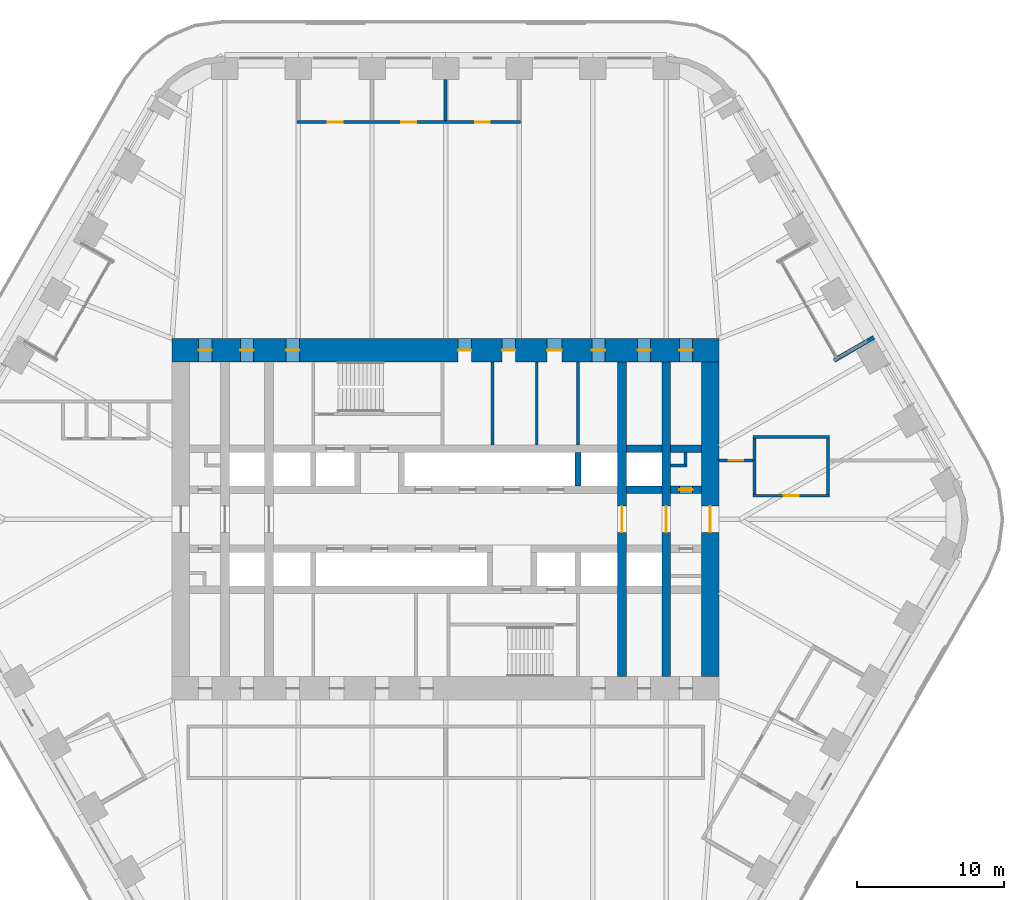
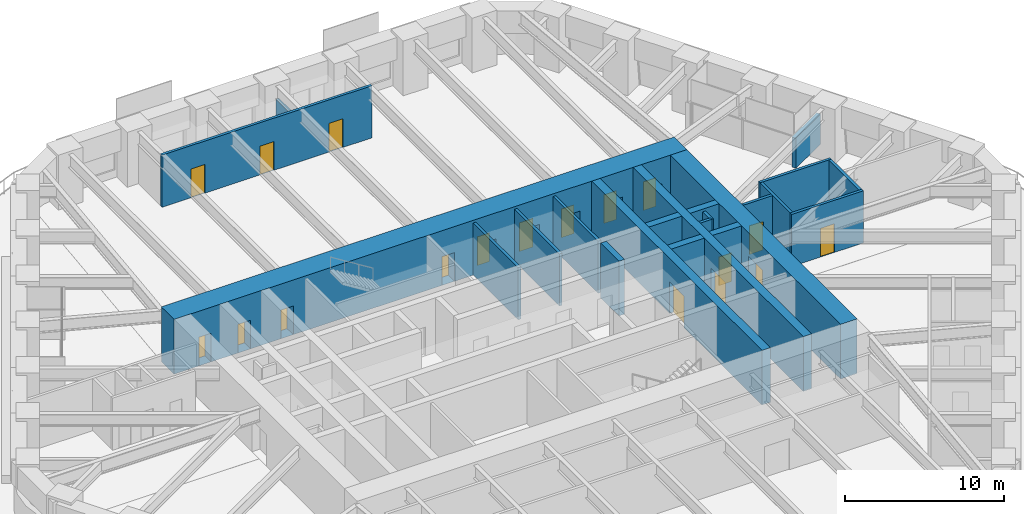
# One storey, part 20 of 24: 22 walls, 18 doors, 18 openings.
"""IFC4 building model written with IfcOpenShell, lengths in metres."""

from ifc_helpers import new_model, si_unit, direction, frame, frame_2d, origin, place, context, subcontext, project, spatial, rectangle, extrude, material, layer, layer_set, type_object, element, fill, save


model = new_model("IFC4")

# Units and contexts
model_context = context("Model", 3, precision=1e-05, world=origin(), true_north=direction((0.0, 1.0)))
body_context = subcontext(model_context, "Body", "Model", "MODEL_VIEW")
ifc_project = project(units=[si_unit("LENGTHUNIT", "METRE"), si_unit("AREAUNIT", "SQUARE_METRE"), si_unit("VOLUMEUNIT", "CUBIC_METRE"), si_unit("PLANEANGLEUNIT", "RADIAN"), si_unit("MASSUNIT", "GRAM", prefix="KILO")], contexts=[model_context])

# Site, building, storey
site_placement = place(None, origin())
site = spatial("IfcSite", under=ifc_project, at=site_placement, CompositionType="ELEMENT")
building_placement = place(site_placement, origin())
building = spatial("IfcBuilding", under=site, at=building_placement, Name="Tarfa Lantern Tower", CompositionType="ELEMENT")
storey_placement = place(building_placement, frame((0.0, 0.0, 123.699951171875)))
storey = spatial("IfcBuildingStorey", under=building, at=storey_placement, Name="L27", CompositionType="ELEMENT", Elevation=123.699951171875)

# Walls
ifc_material_1 = material(Name="Limestone cladding on blockwork", Category="masonry")
ifc_layer_1 = layer(ifc_material_1, 0.300048828125)
ifc_layer_set_1 = layer_set([ifc_layer_1], Name="EW1 STONE-CLAD WALL 300")
wall_type_1 = type_object("IfcWallType", Name="EW1 STONE-CLAD WALL 300", PredefinedType="SOLIDWALL", material=ifc_layer_set_1)
wall_1_placement = place(storey_placement, frame((29.1201171875, 12.362548828125, 0.0), z_axis=(0.0, 0.0, 1.0), x_axis=(-0.86602952684, -0.49999285859, 0.0)))
element("IfcWall", 1, at=wall_1_placement, inside=storey, type_object=wall_type_1, Name="Loggia return NE 1", PredefinedType="SOLIDWALL", context=body_context, shape_type="SweptSolid", body=[
    extrude(rectangle(XDim=3.10009765625, YDim=0.300048828125, at=frame_2d((1.550048828125, 0.0))), origin(), (0.0, 0.0, 1.0), 2.300048828125),
])
ifc_material_2 = material(Name="Concrete blockwork", Category="masonry")
ifc_layer_2 = layer(ifc_material_2, 0.199951171875)
ifc_layer_set_2 = layer_set([ifc_layer_2], Name="IW1 BLOCKWORK PARTITION 200 EI 120")
wall_type_2 = type_object("IfcWallType", Name="IW1 BLOCKWORK PARTITION 200 EI 120", PredefinedType="PARTITIONING", material=ifc_layer_set_2)
for number, where, z_axis, x_axis, name in (
    (2, (9.0, 5.050048828125, 0.0), (0.0, 0.0, 1.0), (0.0, 1.0, 0.0), "Core partition"),
    (3, (3.199951171875, 5.050048828125, 0.0), (0.0, 0.0, 1.0), (0.0, 1.0, 0.0), "Core partition"),
    (4, (6.199951171875, 5.050048828125, 0.0), (0.0, 0.0, 1.0), (0.0, 1.0, 0.0), "Core partition"),
):
    element("IfcWall", number, at=place(storey_placement, frame(where, z_axis=z_axis, x_axis=x_axis)), inside=storey, type_object=wall_type_2, Name=name, PredefinedType="PARTITIONING", context=body_context, shape_type="SweptSolid", body=[
        extrude(rectangle(XDim=5.64990234375, YDim=0.199951171875, at=frame_2d((2.824951171875, 0.0))), origin(), (0.0, 0.0, 1.0), 4.0),
    ])
for number, where, z_axis, x_axis, name in (
    (5, (15.300048828125, 3.64990234375, 0.0), (0.0, 0.0, 1.0), (1.0, 0.0, 0.0), "Core partition"),
    (6, (16.300048828125, 3.550048828125, 0.0), (0.0, 0.0, 1.0), (0.0, 1.0, 0.0), "Core partition"),
):
    element("IfcWall", number, at=place(storey_placement, frame(where, z_axis=z_axis, x_axis=x_axis)), inside=storey, type_object=wall_type_2, Name=name, PredefinedType="PARTITIONING", context=body_context, shape_type="SweptSolid", body=[
        extrude(rectangle(XDim=1.0, YDim=0.199951171875, at=frame_2d((0.5, 0.0))), origin(), (0.0, 0.0, 1.0), 4.0),
    ])

# Wall, openings, doors
ifc_material_3 = material(Name="Gypsum board on steel studs", Category="steel")
ifc_layer_3 = layer(ifc_material_3, 0.2099609375)
ifc_layer_set_3 = layer_set([ifc_layer_3], Name="IW2 ACOUSTIC PARTITION 200")
wall_type_3 = type_object("IfcWallType", Name="IW2 ACOUSTIC PARTITION 200", PredefinedType="PARTITIONING", material=ifc_layer_set_3)
wall_2_placement = place(storey_placement, frame((5.103759765625, 27.0, 0.0), z_axis=(0.0, 0.0, 1.0), x_axis=(-1.0, 0.0, 0.0)))
wall_2 = element("IfcWall", 7, at=wall_2_placement, inside=storey, type_object=wall_type_3, Name="Partition", PredefinedType="PARTITIONING", context=body_context, shape_type="SweptSolid", body=[
    extrude(rectangle(XDim=15.211181640625, YDim=0.199951171875, at=frame_2d((7.60546875, 0.0))), origin(), (0.0, 0.0, 1.0), 4.0),
])
opening_1_placement = place(wall_2_placement, frame((2.101806640625, 0.0, 0.0)))
opening_1 = element("IfcOpeningElement", 8, at=opening_1_placement, cuts=wall_2, Name="Opening D34", PredefinedType="OPENING", context=body_context, shape_type="SweptSolid", body=[
    extrude(rectangle(XDim=1.0, YDim=2.199951171875, at=frame_2d((0.5, 1.10009765625))), frame((0.0, 0.10986328125, 0.0), z_axis=(0.0, -1.0, 0.0), x_axis=(1.0, 0.0, 0.0)), (0.0, 0.0, 1.0), 0.219970703125),
])
opening_2_placement = place(wall_2_placement, frame((7.10546875, 0.0, 0.0)))
opening_2 = element("IfcOpeningElement", 9, at=opening_2_placement, cuts=wall_2, Name="Opening D35", PredefinedType="OPENING", context=body_context, shape_type="SweptSolid", body=[
    extrude(rectangle(XDim=1.0, YDim=2.199951171875, at=frame_2d((0.5, 1.10009765625))), frame((0.0, 0.10986328125, 0.0), z_axis=(0.0, -1.0, 0.0), x_axis=(1.0, 0.0, 0.0)), (0.0, 0.0, 1.0), 0.219970703125),
])
opening_3_placement = place(wall_2_placement, frame((12.109375, 0.0, 0.0)))
opening_3 = element("IfcOpeningElement", 10, at=opening_3_placement, cuts=wall_2, Name="Opening D36", PredefinedType="OPENING", context=body_context, shape_type="SweptSolid", body=[
    extrude(rectangle(XDim=1.0, YDim=2.199951171875, at=frame_2d((0.5, 1.10009765625))), frame((0.0, 0.10986328125, 0.0), z_axis=(0.0, -1.0, 0.0), x_axis=(1.0, 0.0, 0.0)), (0.0, 0.0, 1.0), 0.219970703125),
])
ifc_material_4 = material(Name="Timber door", Category="wood")
door_type_1 = type_object("IfcDoorType", Name="DR1 ROOM DOOR 1000x2200", OperationType="SINGLE_SWING_LEFT", PredefinedType="DOOR", material=ifc_material_4)
door_1_placement = place(opening_1_placement, frame((1.0, 0.0, 0.0), z_axis=(0.0, 0.0, 1.0), x_axis=(-1.0, 0.0, 0.0)))
door_1 = element("IfcDoor", 11, at=door_1_placement, inside=storey, type_object=door_type_1, Name="Office door", OperationType="SINGLE_SWING_LEFT", OverallHeight=2.199951171875, OverallWidth=1.0, PredefinedType="DOOR", context=body_context, shape_type="SweptSolid", body=[
    extrude(rectangle(XDim=1.0, YDim=2.199951171875, at=frame_2d((0.5, 1.10009765625))), frame((0.0, 0.02490234375, 0.0), z_axis=(0.0, -1.0, 0.0), x_axis=(1.0, 0.0, 0.0)), (0.0, 0.0, 1.0), 0.050048828125),
])
fill(opening_1, door_1)
door_2_placement = place(opening_2_placement, frame((1.0, 0.0, 0.0), z_axis=(0.0, 0.0, 1.0), x_axis=(-1.0, 0.0, 0.0)))
door_2 = element("IfcDoor", 12, at=door_2_placement, inside=storey, type_object=door_type_1, Name="Office door", OperationType="SINGLE_SWING_LEFT", OverallHeight=2.199951171875, OverallWidth=1.0, PredefinedType="DOOR", context=body_context, shape_type="SweptSolid", body=[
    extrude(rectangle(XDim=1.0, YDim=2.199951171875, at=frame_2d((0.5, 1.10009765625))), frame((0.0, 0.02490234375, 0.0), z_axis=(0.0, -1.0, 0.0), x_axis=(1.0, 0.0, 0.0)), (0.0, 0.0, 1.0), 0.050048828125),
])
fill(opening_2, door_2)
door_3_placement = place(opening_3_placement, frame((1.0, 0.0, 0.0), z_axis=(0.0, 0.0, 1.0), x_axis=(-1.0, 0.0, 0.0)))
door_3 = element("IfcDoor", 13, at=door_3_placement, inside=storey, type_object=door_type_1, Name="Office door", OperationType="SINGLE_SWING_RIGHT", OverallHeight=2.199951171875, OverallWidth=1.0, PredefinedType="DOOR", context=body_context, shape_type="SweptSolid", body=[
    extrude(rectangle(XDim=1.0, YDim=2.199951171875, at=frame_2d((0.5, 1.10009765625))), frame((0.0, 0.02490234375, 0.0), z_axis=(0.0, -1.0, 0.0), x_axis=(1.0, 0.0, 0.0)), (0.0, 0.0, 1.0), 0.050048828125),
])
fill(opening_3, door_3)

# Wall
wall_3_placement = place(storey_placement, frame((0.0, 27.10009765625, 0.0), z_axis=(0.0, 0.0, 1.0), x_axis=(0.0, 1.0, 0.0)))
element("IfcWall", 14, at=wall_3_placement, inside=storey, type_object=wall_type_3, Name="Partition", PredefinedType="PARTITIONING", context=body_context, shape_type="SweptSolid", body=[
    extrude(rectangle(XDim=2.7998046875, YDim=0.199951171875, at=frame_2d((1.39990234375, 0.0))), origin(), (0.0, 0.0, 1.0), 2.991943359375),
])

# Wall, opening, door
wall_4_placement = place(storey_placement, frame((20.89990234375, 1.60009765625, 0.0), z_axis=(0.0, 0.0, 1.0), x_axis=(1.0, 0.0, 0.0)))
wall_4 = element("IfcWall", 15, at=wall_4_placement, inside=storey, type_object=wall_type_3, Name="Partition", PredefinedType="PARTITIONING", context=body_context, shape_type="SweptSolid", body=[
    extrude(rectangle(XDim=5.2001953125, YDim=0.199951171875, at=frame_2d((2.60009765625, 0.0))), origin(), (0.0, 0.0, 1.0), 4.0),
])
opening_4_placement = place(wall_4_placement, frame((2.10009765625, 0.0, 0.0)))
opening_4 = element("IfcOpeningElement", 16, at=opening_4_placement, cuts=wall_4, Name="Opening D33", PredefinedType="OPENING", context=body_context, shape_type="SweptSolid", body=[
    extrude(rectangle(XDim=1.0, YDim=2.199951171875, at=frame_2d((0.5, 1.10009765625))), frame((0.0, 0.10986328125, 0.0), z_axis=(0.0, -1.0, 0.0), x_axis=(1.0, 0.0, 0.0)), (0.0, 0.0, 1.0), 0.219970703125),
])
door_4_placement = place(opening_4_placement, origin())
door_4 = element("IfcDoor", 17, at=door_4_placement, inside=storey, type_object=door_type_1, Name="Pantry door", OperationType="SINGLE_SWING_RIGHT", OverallHeight=2.199951171875, OverallWidth=1.0, PredefinedType="DOOR", context=body_context, shape_type="SweptSolid", body=[
    extrude(rectangle(XDim=1.0, YDim=2.199951171875, at=frame_2d((0.5, 1.10009765625))), frame((0.0, 0.02490234375, 0.0), z_axis=(0.0, -1.0, 0.0), x_axis=(1.0, 0.0, 0.0)), (0.0, 0.0, 1.0), 0.050048828125),
])
fill(opening_4, door_4)

# Walls
wall_5_placement = place(storey_placement, frame((20.89990234375, 5.60009765625, 0.0), z_axis=(0.0, 0.0, 1.0), x_axis=(1.0, 0.0, 0.0)))
element("IfcWall", 18, at=wall_5_placement, inside=storey, type_object=wall_type_3, Name="Partition", PredefinedType="PARTITIONING", context=body_context, shape_type="SweptSolid", body=[
    extrude(rectangle(XDim=5.2001953125, YDim=0.199951171875, at=frame_2d((2.60009765625, 0.0))), origin(), (0.0, 0.0, 1.0), 4.0),
])
for number, where, z_axis, x_axis, name in (
    (19, (21.0, 1.699951171875, 0.0), (0.0, 0.0, 1.0), (0.0, 1.0, 0.0), "Partition"),
    (20, (26.0, 1.699951171875, 0.0), (0.0, 0.0, 1.0), (0.0, 1.0, 0.0), "Partition"),
):
    element("IfcWall", number, at=place(storey_placement, frame(where, z_axis=z_axis, x_axis=x_axis)), inside=storey, type_object=wall_type_3, Name=name, PredefinedType="PARTITIONING", context=body_context, shape_type="SweptSolid", body=[
        extrude(rectangle(XDim=3.800048828125, YDim=0.199951171875, at=frame_2d((1.89990234375, 0.0))), origin(), (0.0, 0.0, 1.0), 4.0),
    ])

# Wall, opening, door
wall_6_placement = place(storey_placement, frame((18.60009765625, 4.0, 0.0), z_axis=(0.0, 0.0, 1.0), x_axis=(1.0, 0.0, 0.0)))
wall_6 = element("IfcWall", 21, at=wall_6_placement, inside=storey, type_object=wall_type_3, Name="Partition", PredefinedType="PARTITIONING", context=body_context, shape_type="SweptSolid", body=[
    extrude(rectangle(XDim=2.2998046875, YDim=0.199951171875, at=frame_2d((1.14990234375, 0.0))), origin(), (0.0, 0.0, 1.0), 4.0),
])
opening_5_placement = place(wall_6_placement, frame((0.64990234375, 0.0, 0.0)))
opening_5 = element("IfcOpeningElement", 22, at=opening_5_placement, cuts=wall_6, Name="Opening D47", PredefinedType="OPENING", context=body_context, shape_type="SweptSolid", body=[
    extrude(rectangle(XDim=1.0, YDim=2.199951171875, at=frame_2d((0.5, 1.10009765625))), frame((0.0, 0.10986328125, 0.0), z_axis=(0.0, -1.0, 0.0), x_axis=(1.0, 0.0, 0.0)), (0.0, 0.0, 1.0), 0.219970703125),
])
door_5_placement = place(opening_5_placement, origin())
door_5 = element("IfcDoor", 23, at=door_5_placement, inside=storey, type_object=door_type_1, Name="Zone door", OperationType="SINGLE_SWING_LEFT", OverallHeight=2.199951171875, OverallWidth=1.0, PredefinedType="DOOR", context=body_context, shape_type="SweptSolid", body=[
    extrude(rectangle(XDim=1.0, YDim=2.199951171875, at=frame_2d((0.5, 1.10009765625))), frame((0.0, 0.02490234375, 0.0), z_axis=(0.0, -1.0, 0.0), x_axis=(1.0, 0.0, 0.0)), (0.0, 0.0, 1.0), 0.050048828125),
])
fill(opening_5, door_5)

ifc_material_5 = material(Name="Concrete C80/95", Category="concrete")
ifc_layer_4 = layer(ifc_material_5, 1.199951171875)
ifc_layer_set_4 = layer_set([ifc_layer_4], Name="SW1 CORE WALL 1200")
wall_type_4 = type_object("IfcWallType", Name="SW1 CORE WALL 1200", PredefinedType="SHEAR", material=ifc_layer_set_4)
wall_7_placement = place(storey_placement, frame((18.0, -10.699951171875, 0.0), z_axis=(0.0, 0.0, 1.0), x_axis=(0.0, 1.0, 0.0)))
wall_7 = element("IfcWall", 24, at=wall_7_placement, inside=storey, type_object=wall_type_4, Name="Core wall E", PredefinedType="SHEAR", context=body_context, shape_type="SweptSolid", body=[
    extrude(rectangle(XDim=21.39990234375, YDim=1.199951171875, at=frame_2d((10.699951171875, 0.0))), origin(), (0.0, 0.0, 1.0), 4.199951171875),
])
opening_6_placement = place(wall_7_placement, frame((9.800048828125, 0.0, 0.0)))
opening_6 = element("IfcOpeningElement", 25, at=opening_6_placement, cuts=wall_7, Name="Opening D15", PredefinedType="OPENING", context=body_context, shape_type="SweptSolid", body=[
    extrude(rectangle(XDim=1.800048828125, YDim=2.39990234375, at=frame_2d((0.89990234375, 1.199951171875))), frame((0.0, 0.60986328125, 0.0), z_axis=(0.0, -1.0, 0.0), x_axis=(1.0, 0.0, 0.0)), (0.0, 0.0, 1.0), 1.219970703125),
])
ifc_material_6 = material(Name="Steel fire door", Category="steel")
door_type_2 = type_object("IfcDoorType", Name="DL1 LOBBY DOOR 1800x2400", OperationType="DOUBLE_DOOR_SINGLE_SWING", PredefinedType="DOOR", material=ifc_material_6)
door_6_placement = place(opening_6_placement, frame((1.800048828125, 0.0, 0.0), z_axis=(0.0, 0.0, 1.0), x_axis=(-1.0, 0.0, 0.0)))
door_6 = element("IfcDoor", 26, at=door_6_placement, inside=storey, type_object=door_type_2, Name="Lift lobby door", OperationType="DOUBLE_DOOR_SINGLE_SWING", OverallHeight=2.39990234375, OverallWidth=1.800048828125, PredefinedType="DOOR", context=body_context, shape_type="SweptSolid", body=[
    extrude(rectangle(XDim=1.800048828125, YDim=2.39990234375, at=frame_2d((0.89990234375, 1.199951171875))), frame((0.0, 0.02490234375, 0.0), z_axis=(0.0, -1.0, 0.0), x_axis=(1.0, 0.0, 0.0)), (0.0, 0.0, 1.0), 0.050048828125),
])
fill(opening_6, door_6)

# Wall
ifc_layer_5 = layer(ifc_material_5, 0.5)
ifc_layer_set_5 = layer_set([ifc_layer_5], Name="SW5 CORE WALL 500")
wall_type_5 = type_object("IfcWallType", Name="SW5 CORE WALL 500", PredefinedType="SHEAR", material=ifc_layer_set_5)
wall_8_placement = place(storey_placement, frame((12.300048828125, 2.0, 0.0), z_axis=(0.0, 0.0, 1.0), x_axis=(1.0, 0.0, 0.0)))
element("IfcWall", 27, at=wall_8_placement, inside=storey, type_object=wall_type_5, Name="Core wall lobby east N", PredefinedType="SHEAR", context=body_context, shape_type="SweptSolid", body=[
    extrude(rectangle(XDim=2.39990234375, YDim=0.5, at=frame_2d((1.199951171875, 0.0))), origin(), (0.0, 0.0, 1.0), 4.199951171875),
])

# Wall, opening, door
wall_9_placement = place(storey_placement, frame((15.300048828125, 2.0, 0.0), z_axis=(0.0, 0.0, 1.0), x_axis=(1.0, 0.0, 0.0)))
wall_9 = element("IfcWall", 28, at=wall_9_placement, inside=storey, type_object=wall_type_5, Name="Core wall lobby east N", PredefinedType="SHEAR", context=body_context, shape_type="SweptSolid", body=[
    extrude(rectangle(XDim=2.099853515625, YDim=0.5, at=frame_2d((1.0498046875, 0.0))), origin(), (0.0, 0.0, 1.0), 4.199951171875),
])
opening_7_placement = place(wall_9_placement, frame((0.60009765625, 0.0, 0.0)))
opening_7 = element("IfcOpeningElement", 29, at=opening_7_placement, cuts=wall_9, Name="Opening D17", PredefinedType="OPENING", context=body_context, shape_type="SweptSolid", body=[
    extrude(rectangle(XDim=0.89990234375, YDim=2.199951171875, at=frame_2d((0.449951171875, 1.10009765625))), frame((0.0, 0.260009765625, 0.0), z_axis=(0.0, -1.0, 0.0), x_axis=(1.0, 0.0, 0.0)), (0.0, 0.0, 1.0), 0.52001953125),
])
door_type_3 = type_object("IfcDoorType", Name="DF6 SERVICE ROOM DOOR 900x2200", OperationType="SINGLE_SWING_LEFT", PredefinedType="DOOR", material=ifc_material_6)
door_7_placement = place(opening_7_placement, origin())
door_7 = element("IfcDoor", 30, at=door_7_placement, inside=storey, type_object=door_type_3, Name="Service room door", OperationType="SINGLE_SWING_LEFT", OverallHeight=2.199951171875, OverallWidth=0.89990234375, PredefinedType="DOOR", context=body_context, shape_type="SweptSolid", body=[
    extrude(rectangle(XDim=0.89990234375, YDim=2.199951171875, at=frame_2d((0.449951171875, 1.10009765625))), frame((0.0, 0.02490234375, 0.0), z_axis=(0.0, -1.0, 0.0), x_axis=(1.0, 0.0, 0.0)), (0.0, 0.0, 1.0), 0.050048828125),
])
fill(opening_7, door_7)

# Walls
wall_10_placement = place(storey_placement, frame((12.300048828125, 4.800048828125, 0.0), z_axis=(0.0, 0.0, 1.0), x_axis=(1.0, 0.0, 0.0)))
element("IfcWall", 31, at=wall_10_placement, inside=storey, type_object=wall_type_5, Name="Core wall rear N", PredefinedType="SHEAR", context=body_context, shape_type="SweptSolid", body=[
    extrude(rectangle(XDim=2.39990234375, YDim=0.5, at=frame_2d((1.199951171875, 0.0))), origin(), (0.0, 0.0, 1.0), 4.199951171875),
])
wall_11_placement = place(storey_placement, frame((15.300048828125, 4.800048828125, 0.0), z_axis=(0.0, 0.0, 1.0), x_axis=(1.0, 0.0, 0.0)))
element("IfcWall", 32, at=wall_11_placement, inside=storey, type_object=wall_type_5, Name="Core wall rear N", PredefinedType="SHEAR", context=body_context, shape_type="SweptSolid", body=[
    extrude(rectangle(XDim=2.099853515625, YDim=0.5, at=frame_2d((1.0498046875, 0.0))), origin(), (0.0, 0.0, 1.0), 4.199951171875),
])
ifc_layer_6 = layer(ifc_material_5, 0.39990234375)
ifc_layer_set_6 = layer_set([ifc_layer_6], Name="SW6 CORE WALL 400")
wall_type_6 = type_object("IfcWallType", Name="SW6 CORE WALL 400", PredefinedType="SHEAR", material=ifc_layer_set_6)
wall_12_placement = place(storey_placement, frame((9.0, 2.25, 0.0), z_axis=(0.0, 0.0, 1.0), x_axis=(0.0, 1.0, 0.0)))
element("IfcWall", 33, at=wall_12_placement, inside=storey, type_object=wall_type_6, Name="Core wall divider N", PredefinedType="SHEAR", context=body_context, shape_type="SweptSolid", body=[
    extrude(rectangle(XDim=2.300048828125, YDim=0.39990234375, at=frame_2d((1.14990234375, 0.0))), origin(), (0.0, 0.0, 1.0), 4.199951171875),
])

# Wall, openings, doors
ifc_layer_7 = layer(ifc_material_5, 1.60009765625)
ifc_layer_set_7 = layer_set([ifc_layer_7], Name="SW7 CORE WALL 1600")
wall_type_7 = type_object("IfcWallType", Name="SW7 CORE WALL 1600", PredefinedType="SHEAR", material=ifc_layer_set_7)
wall_13_placement = place(storey_placement, frame((-18.60009765625, 11.5, 0.0), z_axis=(0.0, 0.0, 1.0), x_axis=(1.0, 0.0, 0.0)))
wall_13 = element("IfcWall", 34, at=wall_13_placement, inside=storey, type_object=wall_type_7, Name="Core wall N", PredefinedType="SHEAR", context=body_context, shape_type="SweptSolid", body=[
    extrude(rectangle(XDim=37.2001953125, YDim=1.60009765625, at=frame_2d((18.60009765625, 0.0))), origin(), (0.0, 0.0, 1.0), 4.199951171875),
])
opening_8_placement = place(wall_13_placement, frame((19.449951171875, 0.0, 0.0)))
opening_8 = element("IfcOpeningElement", 35, at=opening_8_placement, cuts=wall_13, Name="Opening D21", PredefinedType="OPENING", context=body_context, shape_type="SweptSolid", body=[
    extrude(rectangle(XDim=0.89990234375, YDim=2.199951171875, at=frame_2d((0.449951171875, 1.10009765625))), frame((0.0, 0.81005859375, 0.0), z_axis=(0.0, -1.0, 0.0), x_axis=(1.0, 0.0, 0.0)), (0.0, 0.0, 1.0), 1.6201171875),
])
opening_9_placement = place(wall_13_placement, frame((22.449951171875, 0.0, 0.0)))
opening_9 = element("IfcOpeningElement", 36, at=opening_9_placement, cuts=wall_13, Name="Opening D23", PredefinedType="OPENING", context=body_context, shape_type="SweptSolid", body=[
    extrude(rectangle(XDim=0.89990234375, YDim=2.199951171875, at=frame_2d((0.449951171875, 1.10009765625))), frame((0.0, 0.81005859375, 0.0), z_axis=(0.0, -1.0, 0.0), x_axis=(1.0, 0.0, 0.0)), (0.0, 0.0, 1.0), 1.6201171875),
])
opening_10_placement = place(wall_13_placement, frame((25.5, 0.0, 0.0)))
opening_10 = element("IfcOpeningElement", 37, at=opening_10_placement, cuts=wall_13, Name="Opening D25", PredefinedType="OPENING", context=body_context, shape_type="SweptSolid", body=[
    extrude(rectangle(XDim=1.0, YDim=2.199951171875, at=frame_2d((0.5, 1.10009765625))), frame((0.0, 0.81005859375, 0.0), z_axis=(0.0, -1.0, 0.0), x_axis=(1.0, 0.0, 0.0)), (0.0, 0.0, 1.0), 1.6201171875),
])
opening_11_placement = place(wall_13_placement, frame((1.800048828125, 0.0, 0.0)))
opening_11 = element("IfcOpeningElement", 38, at=opening_11_placement, cuts=wall_13, Name="Opening D11", PredefinedType="OPENING", context=body_context, shape_type="SweptSolid", body=[
    extrude(rectangle(XDim=0.89990234375, YDim=2.199951171875, at=frame_2d((0.449951171875, 1.10009765625))), frame((0.0, 0.81005859375, 0.0), z_axis=(0.0, -1.0, 0.0), x_axis=(1.0, 0.0, 0.0)), (0.0, 0.0, 1.0), 1.6201171875),
])
opening_12_placement = place(wall_13_placement, frame((4.64990234375, 0.0, 0.0)))
opening_12 = element("IfcOpeningElement", 39, at=opening_12_placement, cuts=wall_13, Name="Opening D07", PredefinedType="OPENING", context=body_context, shape_type="SweptSolid", body=[
    extrude(rectangle(XDim=0.89990234375, YDim=2.199951171875, at=frame_2d((0.449951171875, 1.10009765625))), frame((0.0, 0.81005859375, 0.0), z_axis=(0.0, -1.0, 0.0), x_axis=(1.0, 0.0, 0.0)), (0.0, 0.0, 1.0), 1.6201171875),
])
opening_13_placement = place(wall_13_placement, frame((7.75, 0.0, 0.0)))
opening_13 = element("IfcOpeningElement", 40, at=opening_13_placement, cuts=wall_13, Name="Opening D09", PredefinedType="OPENING", context=body_context, shape_type="SweptSolid", body=[
    extrude(rectangle(XDim=0.89990234375, YDim=2.199951171875, at=frame_2d((0.449951171875, 1.10009765625))), frame((0.0, 0.81005859375, 0.0), z_axis=(0.0, -1.0, 0.0), x_axis=(1.0, 0.0, 0.0)), (0.0, 0.0, 1.0), 1.6201171875),
])
opening_14_placement = place(wall_13_placement, frame((28.550048828125, 0.0, 0.0)))
opening_14 = element("IfcOpeningElement", 41, at=opening_14_placement, cuts=wall_13, Name="Opening D05", PredefinedType="OPENING", context=body_context, shape_type="SweptSolid", body=[
    extrude(rectangle(XDim=0.89990234375, YDim=2.199951171875, at=frame_2d((0.449951171875, 1.10009765625))), frame((0.0, 0.81005859375, 0.0), z_axis=(0.0, -1.0, 0.0), x_axis=(1.0, 0.0, 0.0)), (0.0, 0.0, 1.0), 1.6201171875),
])
opening_15_placement = place(wall_13_placement, frame((31.64990234375, 0.0, 0.0)))
opening_15 = element("IfcOpeningElement", 42, at=opening_15_placement, cuts=wall_13, Name="Opening D01", PredefinedType="OPENING", context=body_context, shape_type="SweptSolid", body=[
    extrude(rectangle(XDim=0.89990234375, YDim=2.199951171875, at=frame_2d((0.449951171875, 1.10009765625))), frame((0.0, 0.81005859375, 0.0), z_axis=(0.0, -1.0, 0.0), x_axis=(1.0, 0.0, 0.0)), (0.0, 0.0, 1.0), 1.6201171875),
])
opening_16_placement = place(wall_13_placement, frame((34.5, 0.0, 0.0)))
opening_16 = element("IfcOpeningElement", 43, at=opening_16_placement, cuts=wall_13, Name="Opening D03", PredefinedType="OPENING", context=body_context, shape_type="SweptSolid", body=[
    extrude(rectangle(XDim=0.89990234375, YDim=2.199951171875, at=frame_2d((0.449951171875, 1.10009765625))), frame((0.0, 0.81005859375, 0.0), z_axis=(0.0, -1.0, 0.0), x_axis=(1.0, 0.0, 0.0)), (0.0, 0.0, 1.0), 1.6201171875),
])
door_type_4 = type_object("IfcDoorType", Name="DF3 CORE ROOM DOOR 900x2200", OperationType="SINGLE_SWING_LEFT", PredefinedType="DOOR", material=ifc_material_6)
door_8_placement = place(opening_8_placement, frame((0.89990234375, 0.0, 0.0), z_axis=(0.0, 0.0, 1.0), x_axis=(-1.0, 0.0, 0.0)))
door_8 = element("IfcDoor", 44, at=door_8_placement, inside=storey, type_object=door_type_4, Name="Core door", OperationType="SINGLE_SWING_LEFT", OverallHeight=2.199951171875, OverallWidth=0.89990234375, PredefinedType="DOOR", context=body_context, shape_type="SweptSolid", body=[
    extrude(rectangle(XDim=0.89990234375, YDim=2.199951171875, at=frame_2d((0.449951171875, 1.10009765625))), frame((0.0, 0.02490234375, 0.0), z_axis=(0.0, -1.0, 0.0), x_axis=(1.0, 0.0, 0.0)), (0.0, 0.0, 1.0), 0.050048828125),
])
fill(opening_8, door_8)
door_9_placement = place(opening_9_placement, frame((0.89990234375, 0.0, 0.0), z_axis=(0.0, 0.0, 1.0), x_axis=(-1.0, 0.0, 0.0)))
door_9 = element("IfcDoor", 45, at=door_9_placement, inside=storey, type_object=door_type_4, Name="Core door", OperationType="SINGLE_SWING_LEFT", OverallHeight=2.199951171875, OverallWidth=0.89990234375, PredefinedType="DOOR", context=body_context, shape_type="SweptSolid", body=[
    extrude(rectangle(XDim=0.89990234375, YDim=2.199951171875, at=frame_2d((0.449951171875, 1.10009765625))), frame((0.0, 0.02490234375, 0.0), z_axis=(0.0, -1.0, 0.0), x_axis=(1.0, 0.0, 0.0)), (0.0, 0.0, 1.0), 0.050048828125),
])
fill(opening_9, door_9)
door_type_5 = type_object("IfcDoorType", Name="DF4 CORE ROOM DOOR 1000x2200", OperationType="SINGLE_SWING_LEFT", PredefinedType="DOOR", material=ifc_material_6)
door_10_placement = place(opening_10_placement, frame((1.0, 0.0, 0.0), z_axis=(0.0, 0.0, 1.0), x_axis=(-1.0, 0.0, 0.0)))
door_10 = element("IfcDoor", 46, at=door_10_placement, inside=storey, type_object=door_type_5, Name="Core door", OperationType="SINGLE_SWING_LEFT", OverallHeight=2.199951171875, OverallWidth=1.0, PredefinedType="DOOR", context=body_context, shape_type="SweptSolid", body=[
    extrude(rectangle(XDim=1.0, YDim=2.199951171875, at=frame_2d((0.5, 1.10009765625))), frame((0.0, 0.02490234375, 0.0), z_axis=(0.0, -1.0, 0.0), x_axis=(1.0, 0.0, 0.0)), (0.0, 0.0, 1.0), 0.050048828125),
])
fill(opening_10, door_10)
door_type_6 = type_object("IfcDoorType", Name="DF5 RISER DOOR 900x2200", OperationType="SINGLE_SWING_LEFT", PredefinedType="DOOR", material=ifc_material_6)
door_11_placement = place(opening_11_placement, frame((0.89990234375, 0.0, 0.0), z_axis=(0.0, 0.0, 1.0), x_axis=(-1.0, 0.0, 0.0)))
door_11 = element("IfcDoor", 47, at=door_11_placement, inside=storey, type_object=door_type_6, Name="Riser door", OperationType="SINGLE_SWING_LEFT", OverallHeight=2.199951171875, OverallWidth=0.89990234375, PredefinedType="DOOR", context=body_context, shape_type="SweptSolid", body=[
    extrude(rectangle(XDim=0.89990234375, YDim=2.199951171875, at=frame_2d((0.449951171875, 1.10009765625))), frame((0.0, 0.02490234375, 0.0), z_axis=(0.0, -1.0, 0.0), x_axis=(1.0, 0.0, 0.0)), (0.0, 0.0, 1.0), 0.050048828125),
])
fill(opening_11, door_11)
door_12_placement = place(opening_12_placement, frame((0.89990234375, 0.0, 0.0), z_axis=(0.0, 0.0, 1.0), x_axis=(-1.0, 0.0, 0.0)))
door_12 = element("IfcDoor", 48, at=door_12_placement, inside=storey, type_object=door_type_6, Name="Riser door", OperationType="SINGLE_SWING_LEFT", OverallHeight=2.199951171875, OverallWidth=0.89990234375, PredefinedType="DOOR", context=body_context, shape_type="SweptSolid", body=[
    extrude(rectangle(XDim=0.89990234375, YDim=2.199951171875, at=frame_2d((0.449951171875, 1.10009765625))), frame((0.0, 0.02490234375, 0.0), z_axis=(0.0, -1.0, 0.0), x_axis=(1.0, 0.0, 0.0)), (0.0, 0.0, 1.0), 0.050048828125),
])
fill(opening_12, door_12)
door_13_placement = place(opening_13_placement, frame((0.89990234375, 0.0, 0.0), z_axis=(0.0, 0.0, 1.0), x_axis=(-1.0, 0.0, 0.0)))
door_13 = element("IfcDoor", 49, at=door_13_placement, inside=storey, type_object=door_type_6, Name="Riser door", OperationType="SINGLE_SWING_LEFT", OverallHeight=2.199951171875, OverallWidth=0.89990234375, PredefinedType="DOOR", context=body_context, shape_type="SweptSolid", body=[
    extrude(rectangle(XDim=0.89990234375, YDim=2.199951171875, at=frame_2d((0.449951171875, 1.10009765625))), frame((0.0, 0.02490234375, 0.0), z_axis=(0.0, -1.0, 0.0), x_axis=(1.0, 0.0, 0.0)), (0.0, 0.0, 1.0), 0.050048828125),
])
fill(opening_13, door_13)
door_14_placement = place(opening_14_placement, frame((0.89990234375, 0.0, 0.0), z_axis=(0.0, 0.0, 1.0), x_axis=(-1.0, 0.0, 0.0)))
door_14 = element("IfcDoor", 50, at=door_14_placement, inside=storey, type_object=door_type_6, Name="Riser door", OperationType="SINGLE_SWING_RIGHT", OverallHeight=2.199951171875, OverallWidth=0.89990234375, PredefinedType="DOOR", context=body_context, shape_type="SweptSolid", body=[
    extrude(rectangle(XDim=0.89990234375, YDim=2.199951171875, at=frame_2d((0.449951171875, 1.10009765625))), frame((0.0, 0.02490234375, 0.0), z_axis=(0.0, -1.0, 0.0), x_axis=(1.0, 0.0, 0.0)), (0.0, 0.0, 1.0), 0.050048828125),
])
fill(opening_14, door_14)
door_15_placement = place(opening_15_placement, frame((0.89990234375, 0.0, 0.0), z_axis=(0.0, 0.0, 1.0), x_axis=(-1.0, 0.0, 0.0)))
door_15 = element("IfcDoor", 51, at=door_15_placement, inside=storey, type_object=door_type_6, Name="Riser door", OperationType="SINGLE_SWING_RIGHT", OverallHeight=2.199951171875, OverallWidth=0.89990234375, PredefinedType="DOOR", context=body_context, shape_type="SweptSolid", body=[
    extrude(rectangle(XDim=0.89990234375, YDim=2.199951171875, at=frame_2d((0.449951171875, 1.10009765625))), frame((0.0, 0.02490234375, 0.0), z_axis=(0.0, -1.0, 0.0), x_axis=(1.0, 0.0, 0.0)), (0.0, 0.0, 1.0), 0.050048828125),
])
fill(opening_15, door_15)
door_16_placement = place(opening_16_placement, frame((0.89990234375, 0.0, 0.0), z_axis=(0.0, 0.0, 1.0), x_axis=(-1.0, 0.0, 0.0)))
door_16 = element("IfcDoor", 52, at=door_16_placement, inside=storey, type_object=door_type_6, Name="Riser door", OperationType="SINGLE_SWING_RIGHT", OverallHeight=2.199951171875, OverallWidth=0.89990234375, PredefinedType="DOOR", context=body_context, shape_type="SweptSolid", body=[
    extrude(rectangle(XDim=0.89990234375, YDim=2.199951171875, at=frame_2d((0.449951171875, 1.10009765625))), frame((0.0, 0.02490234375, 0.0), z_axis=(0.0, -1.0, 0.0), x_axis=(1.0, 0.0, 0.0)), (0.0, 0.0, 1.0), 0.050048828125),
])
fill(opening_16, door_16)

# Wall, opening, door
ifc_layer_8 = layer(ifc_material_5, 0.60009765625)
ifc_layer_set_8 = layer_set([ifc_layer_8], Name="SW9 CORE WALL 600")
wall_type_8 = type_object("IfcWallType", Name="SW9 CORE WALL 600", PredefinedType="SHEAR", material=ifc_layer_set_8)
wall_14_placement = place(storey_placement, frame((12.0, -10.699951171875, 0.0), z_axis=(0.0, 0.0, 1.0), x_axis=(0.0, 1.0, 0.0)))
wall_14 = element("IfcWall", 53, at=wall_14_placement, inside=storey, type_object=wall_type_8, Name="Core wall cross 12 m east", PredefinedType="SHEAR", context=body_context, shape_type="SweptSolid", body=[
    extrude(rectangle(XDim=21.39990234375, YDim=0.60009765625, at=frame_2d((10.699951171875, 0.0))), origin(), (0.0, 0.0, 1.0), 4.199951171875),
])
opening_17_placement = place(wall_14_placement, frame((9.800048828125, 0.0, 0.0)))
opening_17 = element("IfcOpeningElement", 54, at=opening_17_placement, cuts=wall_14, Name="Opening D29", PredefinedType="OPENING", context=body_context, shape_type="SweptSolid", body=[
    extrude(rectangle(XDim=1.800048828125, YDim=2.39990234375, at=frame_2d((0.89990234375, 1.199951171875))), frame((0.0, 0.31005859375, 0.0), z_axis=(0.0, -1.0, 0.0), x_axis=(1.0, 0.0, 0.0)), (0.0, 0.0, 1.0), 0.6201171875),
])
door_17_placement = place(opening_17_placement, origin())
door_17 = element("IfcDoor", 55, at=door_17_placement, inside=storey, type_object=door_type_2, Name="Lift lobby door", OperationType="DOUBLE_DOOR_SINGLE_SWING", OverallHeight=2.39990234375, OverallWidth=1.800048828125, PredefinedType="DOOR", context=body_context, shape_type="SweptSolid", body=[
    extrude(rectangle(XDim=1.800048828125, YDim=2.39990234375, at=frame_2d((0.89990234375, 1.199951171875))), frame((0.0, 0.02490234375, 0.0), z_axis=(0.0, -1.0, 0.0), x_axis=(1.0, 0.0, 0.0)), (0.0, 0.0, 1.0), 0.050048828125),
])
fill(opening_17, door_17)

wall_15_placement = place(storey_placement, frame((15.0, -10.699951171875, 0.0), z_axis=(0.0, 0.0, 1.0), x_axis=(0.0, 1.0, 0.0)))
wall_15 = element("IfcWall", 56, at=wall_15_placement, inside=storey, type_object=wall_type_8, Name="Core wall cross 15 m east", PredefinedType="SHEAR", context=body_context, shape_type="SweptSolid", body=[
    extrude(rectangle(XDim=21.39990234375, YDim=0.60009765625, at=frame_2d((10.699951171875, 0.0))), origin(), (0.0, 0.0, 1.0), 4.199951171875),
])
opening_18_placement = place(wall_15_placement, frame((9.800048828125, 0.0, 0.0)))
opening_18 = element("IfcOpeningElement", 57, at=opening_18_placement, cuts=wall_15, Name="Opening D30", PredefinedType="OPENING", context=body_context, shape_type="SweptSolid", body=[
    extrude(rectangle(XDim=1.800048828125, YDim=2.39990234375, at=frame_2d((0.89990234375, 1.199951171875))), frame((0.0, 0.31005859375, 0.0), z_axis=(0.0, -1.0, 0.0), x_axis=(1.0, 0.0, 0.0)), (0.0, 0.0, 1.0), 0.6201171875),
])
door_18_placement = place(opening_18_placement, origin())
door_18 = element("IfcDoor", 58, at=door_18_placement, inside=storey, type_object=door_type_2, Name="Lift lobby door", OperationType="DOUBLE_DOOR_SINGLE_SWING", OverallHeight=2.39990234375, OverallWidth=1.800048828125, PredefinedType="DOOR", context=body_context, shape_type="SweptSolid", body=[
    extrude(rectangle(XDim=1.800048828125, YDim=2.39990234375, at=frame_2d((0.89990234375, 1.199951171875))), frame((0.0, 0.02490234375, 0.0), z_axis=(0.0, -1.0, 0.0), x_axis=(1.0, 0.0, 0.0)), (0.0, 0.0, 1.0), 0.050048828125),
])
fill(opening_18, door_18)

save(model, "model.ifc")
